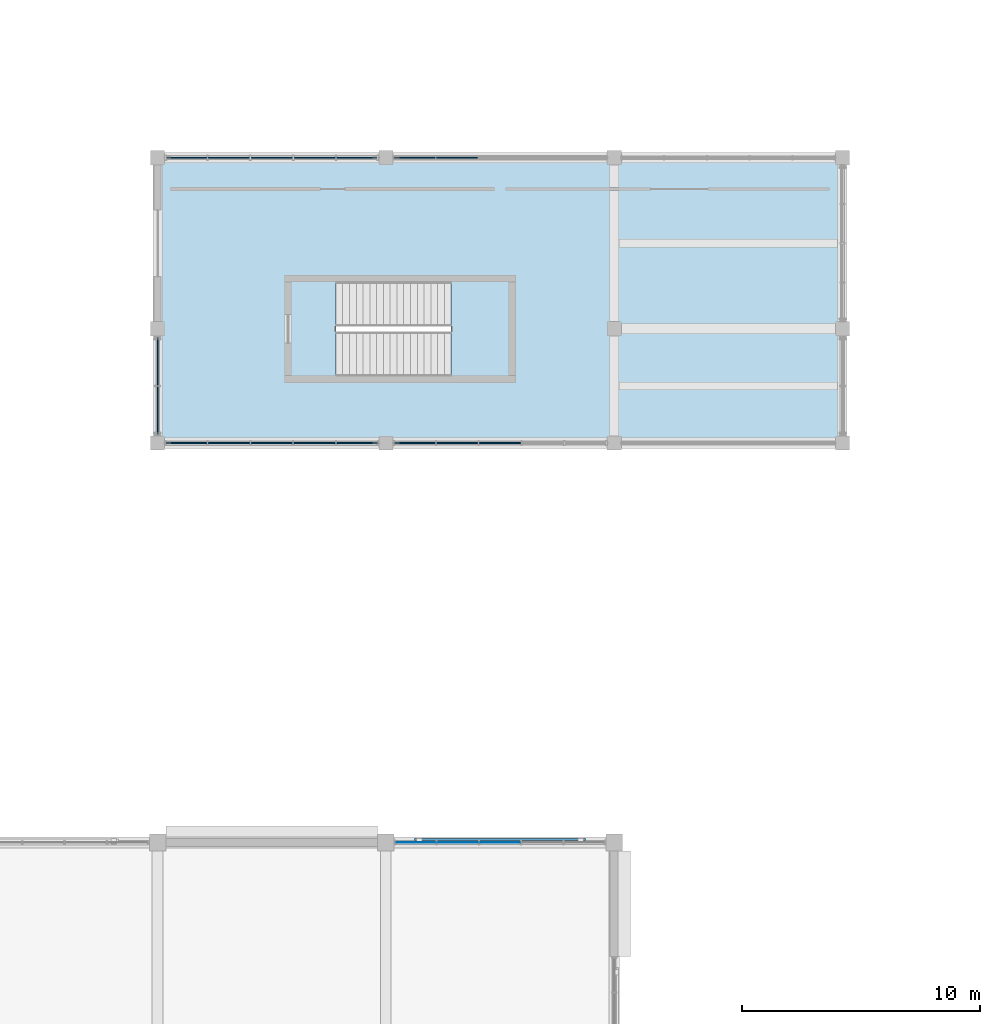
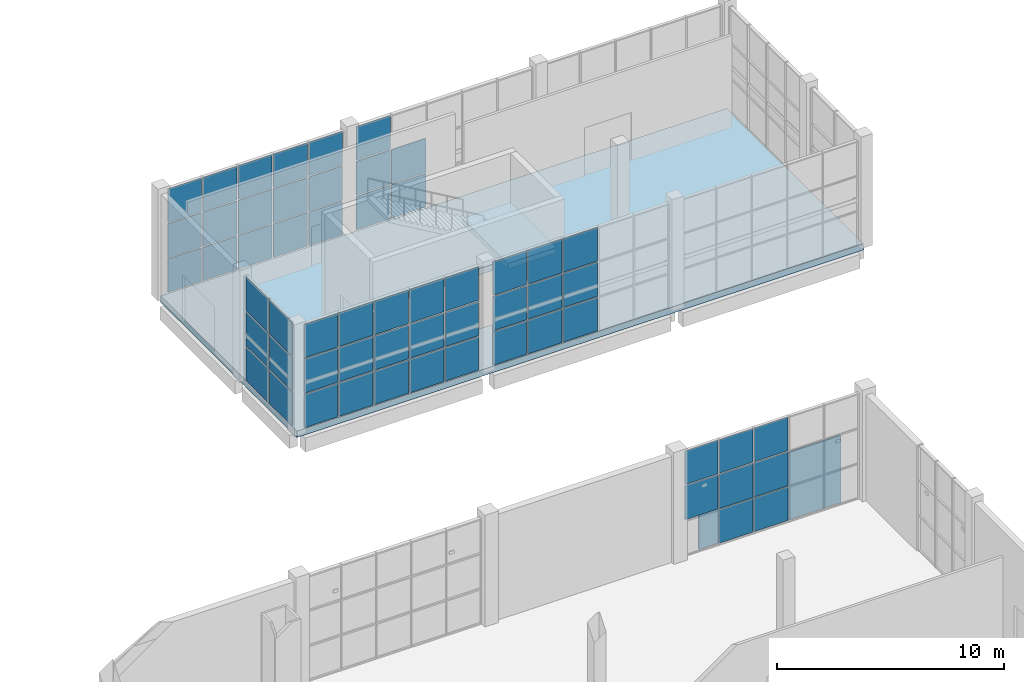
# One storey, part 41 of 84: 59 plates, 2 slabs, 7 elements without a shape of their own.
"""IFC4 building model written with IfcOpenShell, lengths in metres."""

from ifc_helpers import new_model, si_unit, direction, frame, origin, origin_2d, place, context, subcontext, project, spatial, polyline, rectangle, outline, extrude, material, layer, layer_set, type_object, element, aggregate, save


model = new_model("IFC4")

# Units and contexts
model_context = context("Model", 3, precision=1e-05, world=origin(), true_north=direction((0.0, 1.0)))
body_context = subcontext(model_context, "Body", "Model", "MODEL_VIEW")
ifc_project = project(units=[si_unit("LENGTHUNIT", "METRE"), si_unit("AREAUNIT", "SQUARE_METRE"), si_unit("VOLUMEUNIT", "CUBIC_METRE"), si_unit("PLANEANGLEUNIT", "RADIAN"), si_unit("MASSUNIT", "GRAM", prefix="KILO")], contexts=[model_context])

# Site, building, storey
site_placement = place(None, origin())
site = spatial("IfcSite", under=ifc_project, at=site_placement, CompositionType="ELEMENT")
building_placement = place(site_placement, origin())
building = spatial("IfcBuilding", under=site, at=building_placement, Name="Shalvenor Court Art Gallery", CompositionType="ELEMENT")
storey_placement = place(building_placement, origin())
storey = spatial("IfcBuildingStorey", under=building, at=storey_placement, Name="L00", CompositionType="ELEMENT", Elevation=0.0)

# Curtain wall, plates
ifc_material_1 = material(Name="Anodised aluminium and low-iron glass curtain wall", Category="aluminium")
curtain_wall_type_1 = type_object("IfcCurtainWallType", Name="CW-5x3-89-57-111", PredefinedType="USERDEFINED", material=ifc_material_1)
curtain_wall_1_placement = place(storey_placement, origin())
curtain_wall_1 = element("IfcCurtainWall", 1, at=curtain_wall_1_placement, inside=storey, type_object=curtain_wall_type_1, Name="L00 V4 Curtain Wall CW-L00-120", ObjectType="CURTAIN WALL", PredefinedType="USERDEFINED")
ifc_material_2 = material(Name="Low-iron UV-laminated double glazing IGU", Category="glass")
ifc_layer_1 = layer(ifc_material_2, 0.028076171875, Name="Low-iron UV-laminated double glazing IGU")
ifc_layer_set_1 = layer_set([ifc_layer_1], Name="Low-iron UV-laminated double glazing IGU")
plate_type_1 = type_object("IfcPlateType", Name="CWP-01", PredefinedType="CURTAIN_PANEL", material=ifc_layer_set_1)
plate_1_placement = place(storey_placement, frame((58.856201171875, 28.800048828125, 1.92333984375), z_axis=(0.0, 0.0, 1.0), x_axis=(1.0, 0.0, 0.0)))
plate_1 = element("IfcPlate", 2, at=plate_1_placement, type_object=plate_type_1, Name="CW-5x3-89-57-111 panel 1.2", PredefinedType="CURTAIN_PANEL", context=body_context, shape_type="SweptSolid", body=[
    extrude(rectangle(XDim=1.6826171875, YDim=0.028076171875, at=origin_2d()), origin(), (0.0, 0.0, 1.0), 1.833251953125),
])
plate_2_placement = place(storey_placement, frame((58.856201171875, 28.800048828125, 3.816650390625), z_axis=(0.0, 0.0, 1.0), x_axis=(1.0, 0.0, 0.0)))
plate_2 = element("IfcPlate", 3, at=plate_2_placement, type_object=plate_type_1, Name="CW-5x3-89-57-111 panel 1.3", PredefinedType="CURTAIN_PANEL", context=body_context, shape_type="SweptSolid", body=[
    extrude(rectangle(XDim=1.6826171875, YDim=0.028076171875, at=origin_2d()), origin(), (0.0, 0.0, 1.0), 1.80322265625),
])
plate_3_placement = place(storey_placement, frame((60.6201171875, 28.800048828125, 0.06005859375), z_axis=(0.0, 0.0, 1.0), x_axis=(1.0, 0.0, 0.0)))
plate_3 = element("IfcPlate", 4, at=plate_3_placement, type_object=plate_type_1, Name="CW-5x3-89-57-111 panel 2.1", PredefinedType="CURTAIN_PANEL", context=body_context, shape_type="SweptSolid", body=[
    extrude(rectangle(XDim=1.715087890625, YDim=0.028076171875, at=origin_2d()), origin(), (0.0, 0.0, 1.0), 1.80322265625),
])
plate_4_placement = place(storey_placement, frame((60.6201171875, 28.800048828125, 1.92333984375), z_axis=(0.0, 0.0, 1.0), x_axis=(1.0, 0.0, 0.0)))
plate_4 = element("IfcPlate", 5, at=plate_4_placement, type_object=plate_type_1, Name="CW-5x3-89-57-111 panel 2.2", PredefinedType="CURTAIN_PANEL", context=body_context, shape_type="SweptSolid", body=[
    extrude(rectangle(XDim=1.715087890625, YDim=0.028076171875, at=origin_2d()), origin(), (0.0, 0.0, 1.0), 1.833251953125),
])
plate_5_placement = place(storey_placement, frame((60.6201171875, 28.800048828125, 3.816650390625), z_axis=(0.0, 0.0, 1.0), x_axis=(1.0, 0.0, 0.0)))
plate_5 = element("IfcPlate", 6, at=plate_5_placement, type_object=plate_type_1, Name="CW-5x3-89-57-111 panel 2.3", PredefinedType="CURTAIN_PANEL", context=body_context, shape_type="SweptSolid", body=[
    extrude(rectangle(XDim=1.715087890625, YDim=0.028076171875, at=origin_2d()), origin(), (0.0, 0.0, 1.0), 1.80322265625),
])
plate_6_placement = place(storey_placement, frame((62.39990234375, 28.800048828125, 0.06005859375), z_axis=(0.0, 0.0, 1.0), x_axis=(1.0, 0.0, 0.0)))
plate_6 = element("IfcPlate", 7, at=plate_6_placement, type_object=plate_type_1, Name="CW-5x3-89-57-111 panel 3.1", PredefinedType="CURTAIN_PANEL", context=body_context, shape_type="SweptSolid", body=[
    extrude(rectangle(XDim=1.715087890625, YDim=0.028076171875, at=origin_2d()), origin(), (0.0, 0.0, 1.0), 1.80322265625),
])
plate_7_placement = place(storey_placement, frame((62.39990234375, 28.800048828125, 1.92333984375), z_axis=(0.0, 0.0, 1.0), x_axis=(1.0, 0.0, 0.0)))
plate_7 = element("IfcPlate", 8, at=plate_7_placement, type_object=plate_type_1, Name="CW-5x3-89-57-111 panel 3.2", PredefinedType="CURTAIN_PANEL", context=body_context, shape_type="SweptSolid", body=[
    extrude(rectangle(XDim=1.715087890625, YDim=0.028076171875, at=origin_2d()), origin(), (0.0, 0.0, 1.0), 1.833251953125),
])
plate_8_placement = place(storey_placement, frame((62.39990234375, 28.800048828125, 3.816650390625), z_axis=(0.0, 0.0, 1.0), x_axis=(1.0, 0.0, 0.0)))
plate_8 = element("IfcPlate", 9, at=plate_8_placement, type_object=plate_type_1, Name="CW-5x3-89-57-111 panel 3.3", PredefinedType="CURTAIN_PANEL", context=body_context, shape_type="SweptSolid", body=[
    extrude(rectangle(XDim=1.715087890625, YDim=0.028076171875, at=origin_2d()), origin(), (0.0, 0.0, 1.0), 1.80322265625),
])
aggregate(curtain_wall_1, [plate_1, plate_2, plate_3, plate_4, plate_5, plate_6, plate_7, plate_8])

ifc_material_3 = material(Name="Anodised aluminium and low-iron glass curtain wall", Category="aluminium")
curtain_wall_type_2 = type_object("IfcCurtainWallType", Name="CW-5x3-90-57-426", PredefinedType="USERDEFINED", material=ifc_material_3)
curtain_wall_2_placement = place(storey_placement, origin())
curtain_wall_2 = element("IfcCurtainWall", 10, at=curtain_wall_2_placement, inside=storey, type_object=curtain_wall_type_2, Name="L00 V6 Curtain Wall CW-L00-190", ObjectType="CURTAIN WALL", PredefinedType="USERDEFINED")
ifc_material_4 = material(Name="Solar-control laminated cloister glazing IGU", Category="glass")
ifc_layer_2 = layer(ifc_material_4, 0.0439453125, Name="Solar-control laminated cloister glazing IGU")
ifc_layer_set_2 = layer_set([ifc_layer_2], Name="Solar-control laminated cloister glazing IGU")
plate_type_2 = type_object("IfcPlateType", Name="CWP-06", PredefinedType="CURTAIN_PANEL", material=ifc_layer_set_2)
plate_9_placement = place(storey_placement, frame((49.21875, 57.60009765625, 0.06494140625), z_axis=(0.0, 0.0, 1.0), x_axis=(1.0, 0.0, 0.0)))
plate_9 = element("IfcPlate", 11, at=plate_9_placement, type_object=plate_type_2, Name="CW-5x3-90-57-426 panel 1.1", PredefinedType="CURTAIN_PANEL", context=body_context, shape_type="SweptSolid", body=[
    extrude(rectangle(XDim=1.6875, YDim=0.0439453125, at=origin_2d()), origin(), (0.0, 0.0, 1.0), 1.7958984375),
])
plate_10_placement = place(storey_placement, frame((49.21875, 57.60009765625, 1.92578125), z_axis=(0.0, 0.0, 1.0), x_axis=(1.0, 0.0, 0.0)))
plate_10 = element("IfcPlate", 12, at=plate_10_placement, type_object=plate_type_2, Name="CW-5x3-90-57-426 panel 1.2", PredefinedType="CURTAIN_PANEL", context=body_context, shape_type="SweptSolid", body=[
    extrude(rectangle(XDim=1.6875, YDim=0.0439453125, at=origin_2d()), origin(), (0.0, 0.0, 1.0), 1.828369140625),
])
plate_11_placement = place(storey_placement, frame((49.21875, 57.60009765625, 3.819091796875), z_axis=(0.0, 0.0, 1.0), x_axis=(1.0, 0.0, 0.0)))
plate_11 = element("IfcPlate", 13, at=plate_11_placement, type_object=plate_type_2, Name="CW-5x3-90-57-426 panel 1.3", PredefinedType="CURTAIN_PANEL", context=body_context, shape_type="SweptSolid", body=[
    extrude(rectangle(XDim=1.6875, YDim=0.0439453125, at=origin_2d()), origin(), (0.0, 0.0, 1.0), 1.7958984375),
])
plate_12_placement = place(storey_placement, frame((51.0, 57.60009765625, 0.06494140625), z_axis=(0.0, 0.0, 1.0), x_axis=(1.0, 0.0, 0.0)))
plate_12 = element("IfcPlate", 14, at=plate_12_placement, type_object=plate_type_2, Name="CW-5x3-90-57-426 panel 2.1", PredefinedType="CURTAIN_PANEL", context=body_context, shape_type="SweptSolid", body=[
    extrude(rectangle(XDim=1.72509765625, YDim=0.0439453125, at=origin_2d()), origin(), (0.0, 0.0, 1.0), 1.7958984375),
])
plate_13_placement = place(storey_placement, frame((51.0, 57.60009765625, 1.92578125), z_axis=(0.0, 0.0, 1.0), x_axis=(1.0, 0.0, 0.0)))
plate_13 = element("IfcPlate", 15, at=plate_13_placement, type_object=plate_type_2, Name="CW-5x3-90-57-426 panel 2.2", PredefinedType="CURTAIN_PANEL", context=body_context, shape_type="SweptSolid", body=[
    extrude(rectangle(XDim=1.72509765625, YDim=0.0439453125, at=origin_2d()), origin(), (0.0, 0.0, 1.0), 1.828369140625),
])
plate_14_placement = place(storey_placement, frame((51.0, 57.60009765625, 3.819091796875), z_axis=(0.0, 0.0, 1.0), x_axis=(1.0, 0.0, 0.0)))
plate_14 = element("IfcPlate", 16, at=plate_14_placement, type_object=plate_type_2, Name="CW-5x3-90-57-426 panel 2.3", PredefinedType="CURTAIN_PANEL", context=body_context, shape_type="SweptSolid", body=[
    extrude(rectangle(XDim=1.72509765625, YDim=0.0439453125, at=origin_2d()), origin(), (0.0, 0.0, 1.0), 1.7958984375),
])
plate_15_placement = place(storey_placement, frame((52.800048828125, 57.60009765625, 0.06494140625), z_axis=(0.0, 0.0, 1.0), x_axis=(1.0, 0.0, 0.0)))
plate_15 = element("IfcPlate", 17, at=plate_15_placement, type_object=plate_type_2, Name="CW-5x3-90-57-426 panel 3.1", PredefinedType="CURTAIN_PANEL", context=body_context, shape_type="SweptSolid", body=[
    extrude(rectangle(XDim=1.72509765625, YDim=0.0439453125, at=origin_2d()), origin(), (0.0, 0.0, 1.0), 1.7958984375),
])
plate_16_placement = place(storey_placement, frame((52.800048828125, 57.60009765625, 1.92578125), z_axis=(0.0, 0.0, 1.0), x_axis=(1.0, 0.0, 0.0)))
plate_16 = element("IfcPlate", 18, at=plate_16_placement, type_object=plate_type_2, Name="CW-5x3-90-57-426 panel 3.2", PredefinedType="CURTAIN_PANEL", context=body_context, shape_type="SweptSolid", body=[
    extrude(rectangle(XDim=1.72509765625, YDim=0.0439453125, at=origin_2d()), origin(), (0.0, 0.0, 1.0), 1.828369140625),
])
plate_17_placement = place(storey_placement, frame((52.800048828125, 57.60009765625, 3.819091796875), z_axis=(0.0, 0.0, 1.0), x_axis=(1.0, 0.0, 0.0)))
plate_17 = element("IfcPlate", 19, at=plate_17_placement, type_object=plate_type_2, Name="CW-5x3-90-57-426 panel 3.3", PredefinedType="CURTAIN_PANEL", context=body_context, shape_type="SweptSolid", body=[
    extrude(rectangle(XDim=1.72509765625, YDim=0.0439453125, at=origin_2d()), origin(), (0.0, 0.0, 1.0), 1.7958984375),
])
plate_18_placement = place(storey_placement, frame((54.60009765625, 57.60009765625, 0.06494140625), z_axis=(0.0, 0.0, 1.0), x_axis=(1.0, 0.0, 0.0)))
plate_18 = element("IfcPlate", 20, at=plate_18_placement, type_object=plate_type_2, Name="CW-5x3-90-57-426 panel 4.1", PredefinedType="CURTAIN_PANEL", context=body_context, shape_type="SweptSolid", body=[
    extrude(rectangle(XDim=1.72509765625, YDim=0.0439453125, at=origin_2d()), origin(), (0.0, 0.0, 1.0), 1.7958984375),
])
plate_19_placement = place(storey_placement, frame((54.60009765625, 57.60009765625, 1.92578125), z_axis=(0.0, 0.0, 1.0), x_axis=(1.0, 0.0, 0.0)))
plate_19 = element("IfcPlate", 21, at=plate_19_placement, type_object=plate_type_2, Name="CW-5x3-90-57-426 panel 4.2", PredefinedType="CURTAIN_PANEL", context=body_context, shape_type="SweptSolid", body=[
    extrude(rectangle(XDim=1.72509765625, YDim=0.0439453125, at=origin_2d()), origin(), (0.0, 0.0, 1.0), 1.828369140625),
])
plate_20_placement = place(storey_placement, frame((54.60009765625, 57.60009765625, 3.819091796875), z_axis=(0.0, 0.0, 1.0), x_axis=(1.0, 0.0, 0.0)))
plate_20 = element("IfcPlate", 22, at=plate_20_placement, type_object=plate_type_2, Name="CW-5x3-90-57-426 panel 4.3", PredefinedType="CURTAIN_PANEL", context=body_context, shape_type="SweptSolid", body=[
    extrude(rectangle(XDim=1.72509765625, YDim=0.0439453125, at=origin_2d()), origin(), (0.0, 0.0, 1.0), 1.7958984375),
])
plate_21_placement = place(storey_placement, frame((56.38134765625, 57.60009765625, 0.06494140625), z_axis=(0.0, 0.0, 1.0), x_axis=(1.0, 0.0, 0.0)))
plate_21 = element("IfcPlate", 23, at=plate_21_placement, type_object=plate_type_2, Name="CW-5x3-90-57-426 panel 5.1", PredefinedType="CURTAIN_PANEL", context=body_context, shape_type="SweptSolid", body=[
    extrude(rectangle(XDim=1.6875, YDim=0.0439453125, at=origin_2d()), origin(), (0.0, 0.0, 1.0), 1.7958984375),
])
plate_22_placement = place(storey_placement, frame((56.38134765625, 57.60009765625, 1.92578125), z_axis=(0.0, 0.0, 1.0), x_axis=(1.0, 0.0, 0.0)))
plate_22 = element("IfcPlate", 24, at=plate_22_placement, type_object=plate_type_2, Name="CW-5x3-90-57-426 panel 5.2", PredefinedType="CURTAIN_PANEL", context=body_context, shape_type="SweptSolid", body=[
    extrude(rectangle(XDim=1.6875, YDim=0.0439453125, at=origin_2d()), origin(), (0.0, 0.0, 1.0), 1.828369140625),
])
plate_23_placement = place(storey_placement, frame((56.38134765625, 57.60009765625, 3.819091796875), z_axis=(0.0, 0.0, 1.0), x_axis=(1.0, 0.0, 0.0)))
plate_23 = element("IfcPlate", 25, at=plate_23_placement, type_object=plate_type_2, Name="CW-5x3-90-57-426 panel 5.3", PredefinedType="CURTAIN_PANEL", context=body_context, shape_type="SweptSolid", body=[
    extrude(rectangle(XDim=1.6875, YDim=0.0439453125, at=origin_2d()), origin(), (0.0, 0.0, 1.0), 1.7958984375),
])
aggregate(curtain_wall_2, [plate_9, plate_10, plate_11, plate_12, plate_13, plate_14, plate_15, plate_16, plate_17, plate_18, plate_19, plate_20, plate_21, plate_22, plate_23])

ifc_material_5 = material(Name="Anodised aluminium and low-iron glass curtain wall", Category="aluminium")
curtain_wall_type_3 = type_object("IfcCurtainWallType", Name="CW-5x3-90-57-646", PredefinedType="USERDEFINED", material=ifc_material_5)
curtain_wall_3_placement = place(storey_placement, origin())
curtain_wall_3 = element("IfcCurtainWall", 26, at=curtain_wall_3_placement, inside=storey, type_object=curtain_wall_type_3, Name="L00 V6 Curtain Wall CW-L00-191", ObjectType="CURTAIN WALL", PredefinedType="USERDEFINED")
plate_24_placement = place(storey_placement, frame((58.813720703125, 57.60009765625, 0.06982421875), z_axis=(0.0, 0.0, 1.0), x_axis=(1.0, 0.0, 0.0)))
plate_24 = element("IfcPlate", 27, at=plate_24_placement, type_object=plate_type_2, Name="CW-5x3-90-57-646 panel 1.1", PredefinedType="CURTAIN_PANEL", context=body_context, shape_type="SweptSolid", body=[
    extrude(rectangle(XDim=1.717529296875, YDim=0.0439453125, at=origin_2d()), origin(), (0.0, 0.0, 1.0), 1.788330078125),
])
plate_25_placement = place(storey_placement, frame((58.813720703125, 57.60009765625, 1.928466796875), z_axis=(0.0, 0.0, 1.0), x_axis=(1.0, 0.0, 0.0)))
plate_25 = element("IfcPlate", 28, at=plate_25_placement, type_object=plate_type_2, Name="CW-5x3-90-57-646 panel 1.2", PredefinedType="CURTAIN_PANEL", context=body_context, shape_type="SweptSolid", body=[
    extrude(rectangle(XDim=1.717529296875, YDim=0.0439453125, at=origin_2d()), origin(), (0.0, 0.0, 1.0), 1.8232421875),
])
plate_26_placement = place(storey_placement, frame((58.813720703125, 57.60009765625, 3.82177734375), z_axis=(0.0, 0.0, 1.0), x_axis=(1.0, 0.0, 0.0)))
plate_26 = element("IfcPlate", 29, at=plate_26_placement, type_object=plate_type_2, Name="CW-5x3-90-57-646 panel 1.3", PredefinedType="CURTAIN_PANEL", context=body_context, shape_type="SweptSolid", body=[
    extrude(rectangle(XDim=1.717529296875, YDim=0.0439453125, at=origin_2d()), origin(), (0.0, 0.0, 1.0), 1.788330078125),
])
plate_27_placement = place(storey_placement, frame((60.60009765625, 57.60009765625, 0.06982421875), z_axis=(0.0, 0.0, 1.0), x_axis=(1.0, 0.0, 0.0)))
plate_27 = element("IfcPlate", 30, at=plate_27_placement, type_object=plate_type_2, Name="CW-5x3-90-57-646 panel 2.1", PredefinedType="CURTAIN_PANEL", context=body_context, shape_type="SweptSolid", body=[
    extrude(rectangle(XDim=1.7451171875, YDim=0.0439453125, at=origin_2d()), origin(), (0.0, 0.0, 1.0), 1.788330078125),
])
plate_28_placement = place(storey_placement, frame((60.60009765625, 57.60009765625, 1.928466796875), z_axis=(0.0, 0.0, 1.0), x_axis=(1.0, 0.0, 0.0)))
plate_28 = element("IfcPlate", 31, at=plate_28_placement, type_object=plate_type_2, Name="CW-5x3-90-57-646 panel 2.2", PredefinedType="CURTAIN_PANEL", context=body_context, shape_type="SweptSolid", body=[
    extrude(rectangle(XDim=1.7451171875, YDim=0.0439453125, at=origin_2d()), origin(), (0.0, 0.0, 1.0), 1.8232421875),
])
aggregate(curtain_wall_3, [plate_24, plate_25, plate_26, plate_27, plate_28])

ifc_material_6 = material(Name="Anodised aluminium and low-iron glass curtain wall", Category="aluminium")
curtain_wall_type_4 = type_object("IfcCurtainWallType", Name="CW-5x3-90-57-126", PredefinedType="USERDEFINED", material=ifc_material_6)
curtain_wall_4_placement = place(storey_placement, origin())
curtain_wall_4 = element("IfcCurtainWall", 32, at=curtain_wall_4_placement, inside=storey, type_object=curtain_wall_type_4, Name="L00 V6 Curtain Wall CW-L00-196", ObjectType="CURTAIN WALL", PredefinedType="USERDEFINED")
plate_29_placement = place(storey_placement, frame((62.39990234375, 45.60009765625, 0.06494140625), z_axis=(0.0, 0.0, 1.0), x_axis=(-1.0, 0.0, 0.0)))
plate_29 = element("IfcPlate", 33, at=plate_29_placement, type_object=plate_type_2, Name="CW-5x3-90-57-126 panel 3.1", PredefinedType="CURTAIN_PANEL", context=body_context, shape_type="SweptSolid", body=[
    extrude(rectangle(XDim=1.735107421875, YDim=0.0439453125, at=origin_2d()), origin(), (0.0, 0.0, 1.0), 1.7958984375),
])
plate_30_placement = place(storey_placement, frame((62.39990234375, 45.60009765625, 1.92578125), z_axis=(0.0, 0.0, 1.0), x_axis=(-1.0, 0.0, 0.0)))
plate_30 = element("IfcPlate", 34, at=plate_30_placement, type_object=plate_type_2, Name="CW-5x3-90-57-126 panel 3.2", PredefinedType="CURTAIN_PANEL", context=body_context, shape_type="SweptSolid", body=[
    extrude(rectangle(XDim=1.735107421875, YDim=0.0439453125, at=origin_2d()), origin(), (0.0, 0.0, 1.0), 1.828369140625),
])
plate_31_placement = place(storey_placement, frame((62.39990234375, 45.60009765625, 3.819091796875), z_axis=(0.0, 0.0, 1.0), x_axis=(-1.0, 0.0, 0.0)))
plate_31 = element("IfcPlate", 35, at=plate_31_placement, type_object=plate_type_2, Name="CW-5x3-90-57-126 panel 3.3", PredefinedType="CURTAIN_PANEL", context=body_context, shape_type="SweptSolid", body=[
    extrude(rectangle(XDim=1.735107421875, YDim=0.0439453125, at=origin_2d()), origin(), (0.0, 0.0, 1.0), 1.7958984375),
])
plate_32_placement = place(storey_placement, frame((60.60009765625, 45.60009765625, 0.06494140625), z_axis=(0.0, 0.0, 1.0), x_axis=(-1.0, 0.0, 0.0)))
plate_32 = element("IfcPlate", 36, at=plate_32_placement, type_object=plate_type_2, Name="CW-5x3-90-57-126 panel 4.1", PredefinedType="CURTAIN_PANEL", context=body_context, shape_type="SweptSolid", body=[
    extrude(rectangle(XDim=1.735107421875, YDim=0.0439453125, at=origin_2d()), origin(), (0.0, 0.0, 1.0), 1.7958984375),
])
plate_33_placement = place(storey_placement, frame((60.60009765625, 45.60009765625, 1.92578125), z_axis=(0.0, 0.0, 1.0), x_axis=(-1.0, 0.0, 0.0)))
plate_33 = element("IfcPlate", 37, at=plate_33_placement, type_object=plate_type_2, Name="CW-5x3-90-57-126 panel 4.2", PredefinedType="CURTAIN_PANEL", context=body_context, shape_type="SweptSolid", body=[
    extrude(rectangle(XDim=1.735107421875, YDim=0.0439453125, at=origin_2d()), origin(), (0.0, 0.0, 1.0), 1.828369140625),
])
plate_34_placement = place(storey_placement, frame((60.60009765625, 45.60009765625, 3.819091796875), z_axis=(0.0, 0.0, 1.0), x_axis=(-1.0, 0.0, 0.0)))
plate_34 = element("IfcPlate", 38, at=plate_34_placement, type_object=plate_type_2, Name="CW-5x3-90-57-126 panel 4.3", PredefinedType="CURTAIN_PANEL", context=body_context, shape_type="SweptSolid", body=[
    extrude(rectangle(XDim=1.735107421875, YDim=0.0439453125, at=origin_2d()), origin(), (0.0, 0.0, 1.0), 1.7958984375),
])
plate_35_placement = place(storey_placement, frame((58.816162109375, 45.60009765625, 0.06494140625), z_axis=(0.0, 0.0, 1.0), x_axis=(-1.0, 0.0, 0.0)))
plate_35 = element("IfcPlate", 39, at=plate_35_placement, type_object=plate_type_2, Name="CW-5x3-90-57-126 panel 5.1", PredefinedType="CURTAIN_PANEL", context=body_context, shape_type="SweptSolid", body=[
    extrude(rectangle(XDim=1.702392578125, YDim=0.0439453125, at=origin_2d()), origin(), (0.0, 0.0, 1.0), 1.7958984375),
])
plate_36_placement = place(storey_placement, frame((58.816162109375, 45.60009765625, 1.92578125), z_axis=(0.0, 0.0, 1.0), x_axis=(-1.0, 0.0, 0.0)))
plate_36 = element("IfcPlate", 40, at=plate_36_placement, type_object=plate_type_2, Name="CW-5x3-90-57-126 panel 5.2", PredefinedType="CURTAIN_PANEL", context=body_context, shape_type="SweptSolid", body=[
    extrude(rectangle(XDim=1.702392578125, YDim=0.0439453125, at=origin_2d()), origin(), (0.0, 0.0, 1.0), 1.828369140625),
])
plate_37_placement = place(storey_placement, frame((58.816162109375, 45.60009765625, 3.819091796875), z_axis=(0.0, 0.0, 1.0), x_axis=(-1.0, 0.0, 0.0)))
plate_37 = element("IfcPlate", 41, at=plate_37_placement, type_object=plate_type_2, Name="CW-5x3-90-57-126 panel 5.3", PredefinedType="CURTAIN_PANEL", context=body_context, shape_type="SweptSolid", body=[
    extrude(rectangle(XDim=1.702392578125, YDim=0.0439453125, at=origin_2d()), origin(), (0.0, 0.0, 1.0), 1.7958984375),
])
aggregate(curtain_wall_4, [plate_29, plate_30, plate_31, plate_32, plate_33, plate_34, plate_35, plate_36, plate_37])

ifc_material_7 = material(Name="Anodised aluminium and low-iron glass curtain wall", Category="aluminium")
curtain_wall_type_5 = type_object("IfcCurtainWallType", Name="CW-5x3-90-57-246", PredefinedType="USERDEFINED", material=ifc_material_7)
curtain_wall_5_placement = place(storey_placement, origin())
curtain_wall_5 = element("IfcCurtainWall", 42, at=curtain_wall_5_placement, inside=storey, type_object=curtain_wall_type_5, Name="L00 V6 Curtain Wall CW-L00-197", ObjectType="CURTAIN WALL", PredefinedType="USERDEFINED")
plate_38_placement = place(storey_placement, frame((56.382568359375, 45.60009765625, 0.06982421875), z_axis=(0.0, 0.0, 1.0), x_axis=(-1.0, 0.0, 0.0)))
plate_38 = element("IfcPlate", 43, at=plate_38_placement, type_object=plate_type_2, Name="CW-5x3-90-57-246 panel 1.1", PredefinedType="CURTAIN_PANEL", context=body_context, shape_type="SweptSolid", body=[
    extrude(rectangle(XDim=1.695068359375, YDim=0.0439453125, at=origin_2d()), origin(), (0.0, 0.0, 1.0), 1.788330078125),
])
plate_39_placement = place(storey_placement, frame((56.382568359375, 45.60009765625, 1.928466796875), z_axis=(0.0, 0.0, 1.0), x_axis=(-1.0, 0.0, 0.0)))
plate_39 = element("IfcPlate", 44, at=plate_39_placement, type_object=plate_type_2, Name="CW-5x3-90-57-246 panel 1.2", PredefinedType="CURTAIN_PANEL", context=body_context, shape_type="SweptSolid", body=[
    extrude(rectangle(XDim=1.695068359375, YDim=0.0439453125, at=origin_2d()), origin(), (0.0, 0.0, 1.0), 1.8232421875),
])
plate_40_placement = place(storey_placement, frame((56.382568359375, 45.60009765625, 3.82177734375), z_axis=(0.0, 0.0, 1.0), x_axis=(-1.0, 0.0, 0.0)))
plate_40 = element("IfcPlate", 45, at=plate_40_placement, type_object=plate_type_2, Name="CW-5x3-90-57-246 panel 1.3", PredefinedType="CURTAIN_PANEL", context=body_context, shape_type="SweptSolid", body=[
    extrude(rectangle(XDim=1.695068359375, YDim=0.0439453125, at=origin_2d()), origin(), (0.0, 0.0, 1.0), 1.788330078125),
])
plate_41_placement = place(storey_placement, frame((54.60009765625, 45.60009765625, 0.06982421875), z_axis=(0.0, 0.0, 1.0), x_axis=(-1.0, 0.0, 0.0)))
plate_41 = element("IfcPlate", 46, at=plate_41_placement, type_object=plate_type_2, Name="CW-5x3-90-57-246 panel 2.1", PredefinedType="CURTAIN_PANEL", context=body_context, shape_type="SweptSolid", body=[
    extrude(rectangle(XDim=1.72998046875, YDim=0.0439453125, at=origin_2d()), origin(), (0.0, 0.0, 1.0), 1.788330078125),
])
plate_42_placement = place(storey_placement, frame((54.60009765625, 45.60009765625, 1.928466796875), z_axis=(0.0, 0.0, 1.0), x_axis=(-1.0, 0.0, 0.0)))
plate_42 = element("IfcPlate", 47, at=plate_42_placement, type_object=plate_type_2, Name="CW-5x3-90-57-246 panel 2.2", PredefinedType="CURTAIN_PANEL", context=body_context, shape_type="SweptSolid", body=[
    extrude(rectangle(XDim=1.72998046875, YDim=0.0439453125, at=origin_2d()), origin(), (0.0, 0.0, 1.0), 1.8232421875),
])
plate_43_placement = place(storey_placement, frame((54.60009765625, 45.60009765625, 3.82177734375), z_axis=(0.0, 0.0, 1.0), x_axis=(-1.0, 0.0, 0.0)))
plate_43 = element("IfcPlate", 48, at=plate_43_placement, type_object=plate_type_2, Name="CW-5x3-90-57-246 panel 2.3", PredefinedType="CURTAIN_PANEL", context=body_context, shape_type="SweptSolid", body=[
    extrude(rectangle(XDim=1.72998046875, YDim=0.0439453125, at=origin_2d()), origin(), (0.0, 0.0, 1.0), 1.788330078125),
])
plate_44_placement = place(storey_placement, frame((52.800048828125, 45.60009765625, 0.06982421875), z_axis=(0.0, 0.0, 1.0), x_axis=(-1.0, 0.0, 0.0)))
plate_44 = element("IfcPlate", 49, at=plate_44_placement, type_object=plate_type_2, Name="CW-5x3-90-57-246 panel 3.1", PredefinedType="CURTAIN_PANEL", context=body_context, shape_type="SweptSolid", body=[
    extrude(rectangle(XDim=1.72998046875, YDim=0.0439453125, at=origin_2d()), origin(), (0.0, 0.0, 1.0), 1.788330078125),
])
plate_45_placement = place(storey_placement, frame((52.800048828125, 45.60009765625, 1.928466796875), z_axis=(0.0, 0.0, 1.0), x_axis=(-1.0, 0.0, 0.0)))
plate_45 = element("IfcPlate", 50, at=plate_45_placement, type_object=plate_type_2, Name="CW-5x3-90-57-246 panel 3.2", PredefinedType="CURTAIN_PANEL", context=body_context, shape_type="SweptSolid", body=[
    extrude(rectangle(XDim=1.72998046875, YDim=0.0439453125, at=origin_2d()), origin(), (0.0, 0.0, 1.0), 1.8232421875),
])
plate_46_placement = place(storey_placement, frame((52.800048828125, 45.60009765625, 3.82177734375), z_axis=(0.0, 0.0, 1.0), x_axis=(-1.0, 0.0, 0.0)))
plate_46 = element("IfcPlate", 51, at=plate_46_placement, type_object=plate_type_2, Name="CW-5x3-90-57-246 panel 3.3", PredefinedType="CURTAIN_PANEL", context=body_context, shape_type="SweptSolid", body=[
    extrude(rectangle(XDim=1.72998046875, YDim=0.0439453125, at=origin_2d()), origin(), (0.0, 0.0, 1.0), 1.788330078125),
])
plate_47_placement = place(storey_placement, frame((51.0, 45.60009765625, 0.06982421875), z_axis=(0.0, 0.0, 1.0), x_axis=(-1.0, 0.0, 0.0)))
plate_47 = element("IfcPlate", 52, at=plate_47_placement, type_object=plate_type_2, Name="CW-5x3-90-57-246 panel 4.1", PredefinedType="CURTAIN_PANEL", context=body_context, shape_type="SweptSolid", body=[
    extrude(rectangle(XDim=1.72998046875, YDim=0.0439453125, at=origin_2d()), origin(), (0.0, 0.0, 1.0), 1.788330078125),
])
plate_48_placement = place(storey_placement, frame((51.0, 45.60009765625, 1.928466796875), z_axis=(0.0, 0.0, 1.0), x_axis=(-1.0, 0.0, 0.0)))
plate_48 = element("IfcPlate", 53, at=plate_48_placement, type_object=plate_type_2, Name="CW-5x3-90-57-246 panel 4.2", PredefinedType="CURTAIN_PANEL", context=body_context, shape_type="SweptSolid", body=[
    extrude(rectangle(XDim=1.72998046875, YDim=0.0439453125, at=origin_2d()), origin(), (0.0, 0.0, 1.0), 1.8232421875),
])
plate_49_placement = place(storey_placement, frame((51.0, 45.60009765625, 3.82177734375), z_axis=(0.0, 0.0, 1.0), x_axis=(-1.0, 0.0, 0.0)))
plate_49 = element("IfcPlate", 54, at=plate_49_placement, type_object=plate_type_2, Name="CW-5x3-90-57-246 panel 4.3", PredefinedType="CURTAIN_PANEL", context=body_context, shape_type="SweptSolid", body=[
    extrude(rectangle(XDim=1.72998046875, YDim=0.0439453125, at=origin_2d()), origin(), (0.0, 0.0, 1.0), 1.788330078125),
])
plate_50_placement = place(storey_placement, frame((49.217529296875, 45.60009765625, 0.06982421875), z_axis=(0.0, 0.0, 1.0), x_axis=(-1.0, 0.0, 0.0)))
plate_50 = element("IfcPlate", 55, at=plate_50_placement, type_object=plate_type_2, Name="CW-5x3-90-57-246 panel 5.1", PredefinedType="CURTAIN_PANEL", context=body_context, shape_type="SweptSolid", body=[
    extrude(rectangle(XDim=1.695068359375, YDim=0.0439453125, at=origin_2d()), origin(), (0.0, 0.0, 1.0), 1.788330078125),
])
plate_51_placement = place(storey_placement, frame((49.217529296875, 45.60009765625, 1.928466796875), z_axis=(0.0, 0.0, 1.0), x_axis=(-1.0, 0.0, 0.0)))
plate_51 = element("IfcPlate", 56, at=plate_51_placement, type_object=plate_type_2, Name="CW-5x3-90-57-246 panel 5.2", PredefinedType="CURTAIN_PANEL", context=body_context, shape_type="SweptSolid", body=[
    extrude(rectangle(XDim=1.695068359375, YDim=0.0439453125, at=origin_2d()), origin(), (0.0, 0.0, 1.0), 1.8232421875),
])
plate_52_placement = place(storey_placement, frame((49.217529296875, 45.60009765625, 3.82177734375), z_axis=(0.0, 0.0, 1.0), x_axis=(-1.0, 0.0, 0.0)))
plate_52 = element("IfcPlate", 57, at=plate_52_placement, type_object=plate_type_2, Name="CW-5x3-90-57-246 panel 5.3", PredefinedType="CURTAIN_PANEL", context=body_context, shape_type="SweptSolid", body=[
    extrude(rectangle(XDim=1.695068359375, YDim=0.0439453125, at=origin_2d()), origin(), (0.0, 0.0, 1.0), 1.788330078125),
])
aggregate(curtain_wall_5, [plate_38, plate_39, plate_40, plate_41, plate_42, plate_43, plate_44, plate_45, plate_46, plate_47, plate_48, plate_49, plate_50, plate_51, plate_52])

ifc_material_8 = material(Name="Anodised aluminium and low-iron glass curtain wall", Category="aluminium")
curtain_wall_type_6 = type_object("IfcCurtainWallType", Name="CW-2x3-42-57-416", PredefinedType="USERDEFINED", material=ifc_material_8)
curtain_wall_6_placement = place(storey_placement, origin())
curtain_wall_6 = element("IfcCurtainWall", 58, at=curtain_wall_6_placement, inside=storey, type_object=curtain_wall_type_6, Name="L00 V6 Curtain Wall CW-L00-198", ObjectType="CURTAIN WALL", PredefinedType="USERDEFINED")
plate_53_placement = place(storey_placement, frame((48.0, 46.96875, 0.06005859375), z_axis=(0.0, 0.0, 1.0), x_axis=(0.0, 1.0, 0.0)))
plate_53 = element("IfcPlate", 59, at=plate_53_placement, type_object=plate_type_2, Name="CW-2x3-42-57-416 panel 1.1", PredefinedType="CURTAIN_PANEL", context=body_context, shape_type="SweptSolid", body=[
    extrude(rectangle(XDim=1.987548828125, YDim=0.0439453125, at=origin_2d()), origin(), (0.0, 0.0, 1.0), 1.80322265625),
])
plate_54_placement = place(storey_placement, frame((48.0, 46.96875, 1.92333984375), z_axis=(0.0, 0.0, 1.0), x_axis=(0.0, 1.0, 0.0)))
plate_54 = element("IfcPlate", 60, at=plate_54_placement, type_object=plate_type_2, Name="CW-2x3-42-57-416 panel 1.2", PredefinedType="CURTAIN_PANEL", context=body_context, shape_type="SweptSolid", body=[
    extrude(rectangle(XDim=1.987548828125, YDim=0.0439453125, at=origin_2d()), origin(), (0.0, 0.0, 1.0), 1.833251953125),
])
plate_55_placement = place(storey_placement, frame((48.0, 46.96875, 3.816650390625), z_axis=(0.0, 0.0, 1.0), x_axis=(0.0, 1.0, 0.0)))
plate_55 = element("IfcPlate", 61, at=plate_55_placement, type_object=plate_type_2, Name="CW-2x3-42-57-416 panel 1.3", PredefinedType="CURTAIN_PANEL", context=body_context, shape_type="SweptSolid", body=[
    extrude(rectangle(XDim=1.987548828125, YDim=0.0439453125, at=origin_2d()), origin(), (0.0, 0.0, 1.0), 1.80322265625),
])
plate_56_placement = place(storey_placement, frame((48.0, 49.03125, 0.06005859375), z_axis=(0.0, 0.0, 1.0), x_axis=(0.0, 1.0, 0.0)))
plate_56 = element("IfcPlate", 62, at=plate_56_placement, type_object=plate_type_2, Name="CW-2x3-42-57-416 panel 2.1", PredefinedType="CURTAIN_PANEL", context=body_context, shape_type="SweptSolid", body=[
    extrude(rectangle(XDim=1.987548828125, YDim=0.0439453125, at=origin_2d()), origin(), (0.0, 0.0, 1.0), 1.80322265625),
])
plate_57_placement = place(storey_placement, frame((48.0, 49.03125, 1.92333984375), z_axis=(0.0, 0.0, 1.0), x_axis=(0.0, 1.0, 0.0)))
plate_57 = element("IfcPlate", 63, at=plate_57_placement, type_object=plate_type_2, Name="CW-2x3-42-57-416 panel 2.2", PredefinedType="CURTAIN_PANEL", context=body_context, shape_type="SweptSolid", body=[
    extrude(rectangle(XDim=1.987548828125, YDim=0.0439453125, at=origin_2d()), origin(), (0.0, 0.0, 1.0), 1.833251953125),
])
plate_58_placement = place(storey_placement, frame((48.0, 49.03125, 3.816650390625), z_axis=(0.0, 0.0, 1.0), x_axis=(0.0, 1.0, 0.0)))
plate_58 = element("IfcPlate", 64, at=plate_58_placement, type_object=plate_type_2, Name="CW-2x3-42-57-416 panel 2.3", PredefinedType="CURTAIN_PANEL", context=body_context, shape_type="SweptSolid", body=[
    extrude(rectangle(XDim=1.987548828125, YDim=0.0439453125, at=origin_2d()), origin(), (0.0, 0.0, 1.0), 1.80322265625),
])
aggregate(curtain_wall_6, [plate_53, plate_54, plate_55, plate_56, plate_57, plate_58])

# Slab
ifc_material_9 = material(Name="Concrete C40/50", Category="concrete")
ifc_layer_3 = layer(ifc_material_9, 0.340087890625, Name="Concrete C40/50")
ifc_layer_set_3 = layer_set([ifc_layer_3], Name="Concrete C40/50")
slab_type_1 = type_object("IfcSlabType", Name="FS-340", PredefinedType="FLOOR", material=ifc_layer_set_3)
slab_1_placement = place(storey_placement, frame((0.0, 0.0, -0.340087890625)))
element("IfcSlab", 65, at=slab_1_placement, inside=storey, type_object=slab_type_1, Name="L00 V6 Floor Slab 1", PredefinedType="FLOOR", context=body_context, shape_type="SweptSolid", body=[
    extrude(outline(polyline([(48.0, 57.60009765625), (76.800048828125, 57.60009765625), (76.800048828125, 45.60009765625), (48.0, 45.60009765625), (48.0, 57.60009765625)]), holes=[polyline([(55.510986328125, 52.39990234375), (55.510986328125, 48.39990234375), (62.800048828125, 48.39990234375), (62.800048828125, 52.39990234375), (55.510986328125, 52.39990234375)])]), origin(), (0.0, 0.0, 1.0), 0.340087890625),
])

# Plate
ifc_material_10 = material(Name="Perforated pale limestone GRC lattice", Category="masonry")
ifc_layer_4 = layer(ifc_material_10, 0.090087890625, Name="Perforated pale limestone GRC lattice")
ifc_layer_set_4 = layer_set([ifc_layer_4], Name="Perforated pale limestone GRC lattice")
plate_type_3 = type_object("IfcPlateType", Name="SCR-07", PredefinedType="USERDEFINED", material=ifc_layer_set_4)
plate_59_placement = place(storey_placement, frame((62.39990234375, 28.93310546875, 0.0), z_axis=(0.0, 0.0, 1.0), x_axis=(1.0, 0.0, 0.0)))
element("IfcPlate", 66, at=plate_59_placement, inside=storey, type_object=plate_type_3, Name="L00 V4 Perforated Stone Lattice Screen PLT-SCR-0105", ObjectType="SCREEN", PredefinedType="USERDEFINED", context=body_context, shape_type="SweptSolid", body=[
    extrude(rectangle(XDim=7.199951171875, YDim=0.090087890625, at=origin_2d()), origin(), (0.0, 0.0, 1.0), 3.60009765625),
])

# Stair, slab
ifc_material_11 = material(Name="Concrete C40/50", Category="concrete")
stair_type = type_object("IfcStairType", Name="ST-DL-36R-1900", PredefinedType="HALF_TURN_STAIR", material=ifc_material_11)
stair_placement = place(storey_placement, origin())
stair = element("IfcStair", 67, at=stair_placement, inside=storey, type_object=stair_type, Name="L00 Core Dogleg Stair ST-10", PredefinedType="HALF_TURN_STAIR")
ifc_material_12 = material(Name="Concrete C40/50", Category="concrete")
ifc_layer_5 = layer(ifc_material_12, 0.300048828125, Name="Concrete C40/50")
ifc_layer_set_5 = layer_set([ifc_layer_5], Name="Concrete C40/50")
slab_type_2 = type_object("IfcSlabType", Name="SLD-300", PredefinedType="LANDING", material=ifc_layer_set_5)
slab_2_placement = place(storey_placement, frame((0.0, 0.0, 2.699951171875)))
slab_2 = element("IfcSlab", 68, at=slab_2_placement, type_object=slab_type_2, Name="ST-DL-36R-1900 landing 1", PredefinedType="LANDING", context=body_context, shape_type="SweptSolid", body=[
    extrude(outline(polyline([(60.344970703125, 48.39990234375), (62.800048828125, 48.39990234375), (62.800048828125, 52.39990234375), (60.344970703125, 52.39990234375), (60.344970703125, 48.39990234375)])), origin(), (0.0, 0.0, 1.0), 0.300048828125),
])
aggregate(stair, [slab_2])

save(model, "model.ifc")
